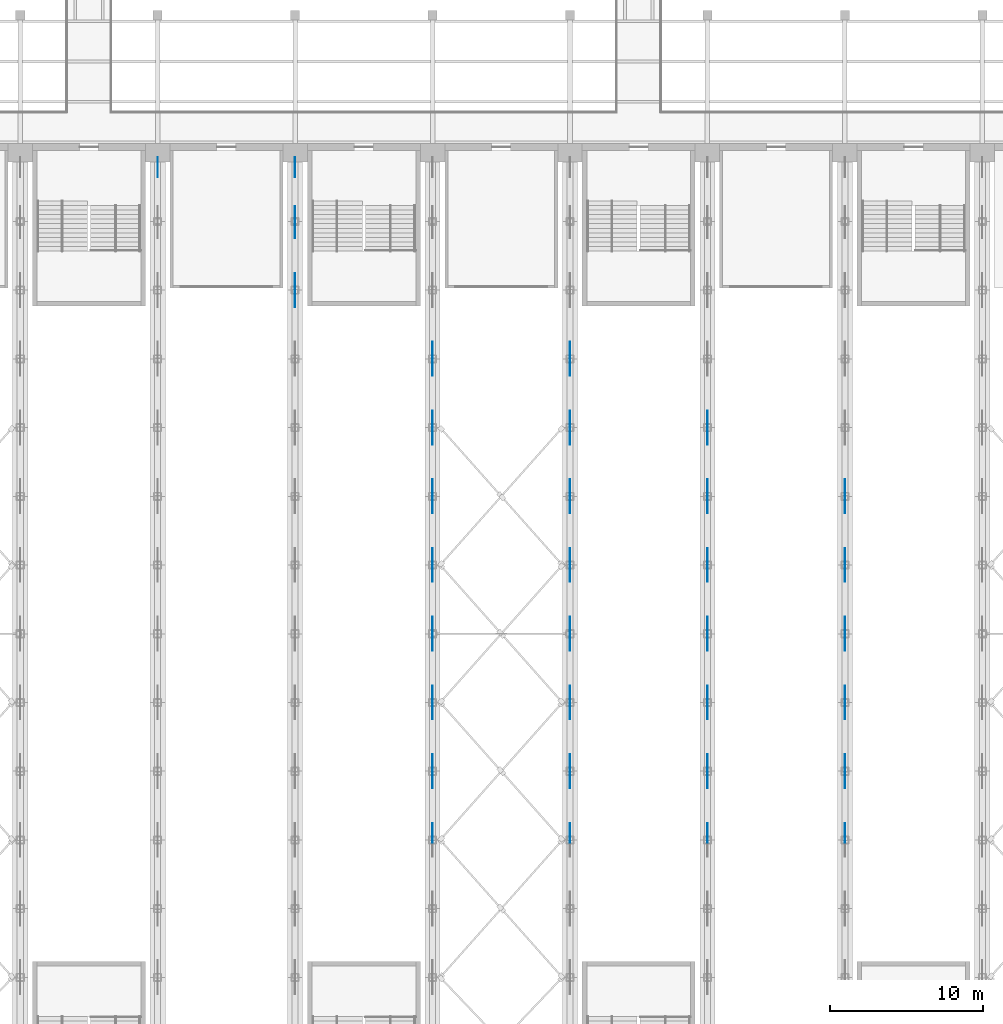
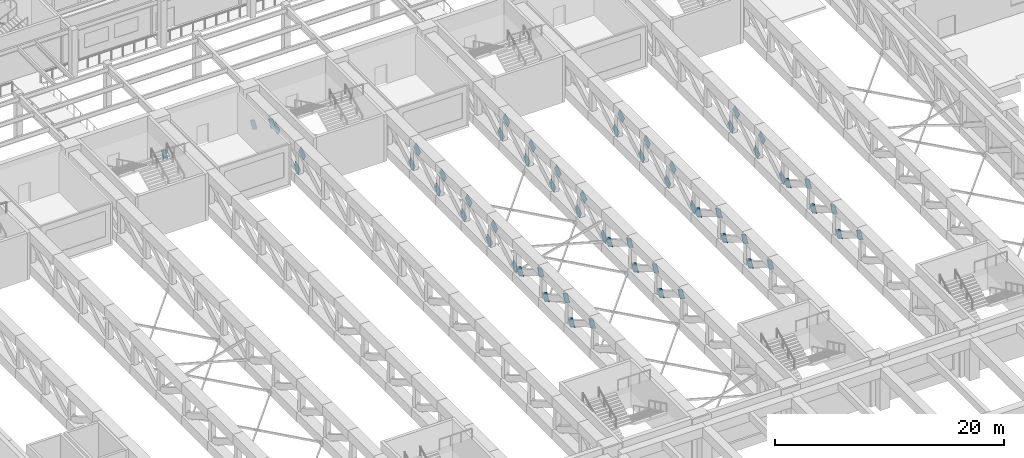
# One storey, part 56 of 76: 60 discrete accessories.
"""IFC4 building model written with IfcOpenShell, lengths in metres."""

from ifc_helpers import new_model, si_unit, direction, frame, origin, place, context, subcontext, project, spatial, polyline, outline, extrude, material, layer, layer_set, type_object, element, save


model = new_model("IFC4")

# Units and contexts
model_context = context("Model", 3, precision=1e-05, world=origin(), true_north=direction((0.0, 1.0)))
body_context = subcontext(model_context, "Body", "Model", "MODEL_VIEW")
ifc_project = project(units=[si_unit("LENGTHUNIT", "METRE"), si_unit("AREAUNIT", "SQUARE_METRE"), si_unit("VOLUMEUNIT", "CUBIC_METRE"), si_unit("PLANEANGLEUNIT", "RADIAN"), si_unit("MASSUNIT", "GRAM", prefix="KILO")], contexts=[model_context])

# Site, building, storey
site_placement = place(None, origin())
site = spatial("IfcSite", under=ifc_project, at=site_placement, CompositionType="ELEMENT")
building_placement = place(site_placement, origin())
building = spatial("IfcBuilding", under=site, at=building_placement, Name="Aravalli Gate Trade Fair Centre", CompositionType="ELEMENT")
storey_placement = place(building_placement, frame((0.0, 0.0, 10.0)))
storey = spatial("IfcBuildingStorey", under=building, at=storey_placement, Name="L02", CompositionType="ELEMENT", Elevation=10.0)

# Discrete accessories
ifc_material = material(Name="Steel E350", Category="steel")
ifc_layer = layer(ifc_material, 0.02001953125)
ifc_layer_set = layer_set([ifc_layer], Name="Steel E350")
discrete_accessory_type = type_object("IfcDiscreteAccessoryType", Name="Gusset plate 900 x 900 x 20", PredefinedType="USERDEFINED", material=ifc_layer_set)
discrete_accessory_1_placement = place(storey_placement, frame((42.010009765625, 107.3994140625, 1.10693359375), z_axis=(1.0, 0.0, 0.0), x_axis=(0.0, 0.841841417294, -0.539724955999)))
element("IfcDiscreteAccessory", 1, at=discrete_accessory_1_placement, inside=storey, type_object=discrete_accessory_type, Name="Gusset plate FT1 line 5 diagonal 14 end A", ObjectType="GUSSET PLATE", PredefinedType="USERDEFINED", context=body_context, shape_type="SweptSolid", body=[
    extrude(outline(polyline([(0.0, 0.0), (0.9802265552012132, 5.551115123125783e-17), (0.9800108119339646, 0.9000460685456917), (0.00012155321060602908, 0.8999723096440082), (0.0, 0.0)])), origin(), (0.0, 0.0, -1.0), 0.02001953125),
])
for number, where, z_axis, x_axis, name in (
    (2, (50.989990234375, 98.890625, 3.435546875), (-1.0, 0.0, 0.0), (0.0, 0.86388729855, 0.503685155037), "Gusset plate FT1 line 6 diagonal 12 end A"),
    (3, (50.989990234375, 103.390625, 3.435546875), (-1.0, 0.0, 0.0), (0.0, 0.86388729855, 0.503685155037), "Gusset plate FT1 line 6 diagonal 13 end A"),
):
    element("IfcDiscreteAccessory", number, at=place(storey_placement, frame(where, z_axis=z_axis, x_axis=x_axis)), inside=storey, type_object=discrete_accessory_type, Name=name, ObjectType="GUSSET PLATE", PredefinedType="USERDEFINED", context=body_context, shape_type="SweptSolid", body=[
        extrude(outline(polyline([(0.0, 0.0), (0.9800811852673053, 0.0), (0.980081550163473, 0.9001036081016202), (3.6489616778156986e-07, 0.9001036081016202), (0.0, 0.0)])), origin(), (0.0, 0.0, -1.0), 0.02001953125),
    ])
discrete_accessory_2_placement = place(storey_placement, frame((51.010009765625, 100.656005859375, 1.842041015625), z_axis=(1.0, 0.0, 0.0), x_axis=(0.0, -0.86388729855, -0.503685155037)))
element("IfcDiscreteAccessory", 4, at=discrete_accessory_2_placement, inside=storey, type_object=discrete_accessory_type, Name="Gusset plate FT1 line 6 diagonal 13 end B", ObjectType="GUSSET PLATE", PredefinedType="USERDEFINED", context=body_context, shape_type="SweptSolid", body=[
    extrude(outline(polyline([(0.0, 0.0), (0.9800811852673053, 0.0), (0.9800808203711375, 0.9001036081016202), (-3.6489616778156986e-07, 0.9001036081016202), (0.0, 0.0)])), origin(), (0.0, 0.0, -1.0), 0.02001953125),
])
discrete_accessory_3_placement = place(storey_placement, frame((51.010009765625, 107.3994140625, 1.10693359375), z_axis=(1.0, 0.0, 0.0), x_axis=(0.0, 0.841841417294, -0.539724955999)))
element("IfcDiscreteAccessory", 5, at=discrete_accessory_3_placement, inside=storey, type_object=discrete_accessory_type, Name="Gusset plate FT1 line 6 diagonal 14 end A", ObjectType="GUSSET PLATE", PredefinedType="USERDEFINED", context=body_context, shape_type="SweptSolid", body=[
    extrude(outline(polyline([(0.0, 0.0), (0.9802265552012132, 5.551115123125783e-17), (0.9800108119339646, 0.9000460685456917), (0.00012155321060602908, 0.8999723096440082), (0.0, 0.0)])), origin(), (0.0, 0.0, -1.0), 0.02001953125),
])
discrete_accessory_4_placement = place(storey_placement, frame((50.989990234375, 105.014892578125, 2.635498046875), z_axis=(-1.0, 0.0, 0.0), x_axis=(0.0, -0.841954580103, 0.539548408433)))
element("IfcDiscreteAccessory", 6, at=discrete_accessory_4_placement, inside=storey, type_object=discrete_accessory_type, Name="Gusset plate FT1 line 6 diagonal 14 end B", ObjectType="GUSSET PLATE", PredefinedType="USERDEFINED", context=body_context, shape_type="SweptSolid", body=[
    extrude(outline(polyline([(0.0, 0.0), (0.9800948079628956, 0.0), (0.9799162545865907, 0.9001778196834035), (-0.00010472374454933986, 0.8998405386803427), (0.0, 0.0)])), origin(), (0.0, 0.0, -1.0), 0.02001953125),
])
discrete_accessory_5_placement = place(storey_placement, frame((59.989990234375, 64.656005859375, 2.657958984375), z_axis=(-1.0, 0.0, 0.0), x_axis=(0.0, -0.86388729855, 0.503685155037)))
element("IfcDiscreteAccessory", 7, at=discrete_accessory_5_placement, inside=storey, type_object=discrete_accessory_type, Name="Gusset plate FT1 line 7 diagonal 5 end A", ObjectType="GUSSET PLATE", PredefinedType="USERDEFINED", context=body_context, shape_type="SweptSolid", body=[
    extrude(outline(polyline([(0.0, 0.0), (0.9800811852673053, 0.0), (0.9800808203711375, 0.9001036081016202), (-3.6489616778156986e-07, 0.9001036081016202), (0.0, 0.0)])), origin(), (0.0, 0.0, -1.0), 0.02001953125),
])
discrete_accessory_6_placement = place(storey_placement, frame((60.010009765625, 67.390625, 1.064453125), z_axis=(1.0, 0.0, 0.0), x_axis=(0.0, 0.86388729855, -0.503685155037)))
element("IfcDiscreteAccessory", 8, at=discrete_accessory_6_placement, inside=storey, type_object=discrete_accessory_type, Name="Gusset plate FT1 line 7 diagonal 5 end B", ObjectType="GUSSET PLATE", PredefinedType="USERDEFINED", context=body_context, shape_type="SweptSolid", body=[
    extrude(outline(polyline([(0.0, 0.0), (0.9800811852673053, 0.0), (0.980081550163473, 0.9001036081016202), (3.6489616778156986e-07, 0.9001036081016202), (0.0, 0.0)])), origin(), (0.0, 0.0, -1.0), 0.02001953125),
])
discrete_accessory_7_placement = place(storey_placement, frame((59.989990234375, 69.156005859375, 2.657958984375), z_axis=(-1.0, 0.0, 0.0), x_axis=(0.0, -0.86388729855, 0.503685155037)))
element("IfcDiscreteAccessory", 9, at=discrete_accessory_7_placement, inside=storey, type_object=discrete_accessory_type, Name="Gusset plate FT1 line 7 diagonal 6 end A", ObjectType="GUSSET PLATE", PredefinedType="USERDEFINED", context=body_context, shape_type="SweptSolid", body=[
    extrude(outline(polyline([(0.0, 0.0), (0.9800811852673053, 0.0), (0.9800808203711375, 0.9001036081016202), (-3.6489616778156986e-07, 0.9001036081016202), (0.0, 0.0)])), origin(), (0.0, 0.0, -1.0), 0.02001953125),
])
discrete_accessory_8_placement = place(storey_placement, frame((60.010009765625, 71.890625, 1.064453125), z_axis=(1.0, 0.0, 0.0), x_axis=(0.0, 0.86388729855, -0.503685155037)))
element("IfcDiscreteAccessory", 10, at=discrete_accessory_8_placement, inside=storey, type_object=discrete_accessory_type, Name="Gusset plate FT1 line 7 diagonal 6 end B", ObjectType="GUSSET PLATE", PredefinedType="USERDEFINED", context=body_context, shape_type="SweptSolid", body=[
    extrude(outline(polyline([(0.0, 0.0), (0.9800811852673053, 0.0), (0.980081550163473, 0.9001036081016202), (3.6489616778156986e-07, 0.9001036081016202), (0.0, 0.0)])), origin(), (0.0, 0.0, -1.0), 0.02001953125),
])
discrete_accessory_9_placement = place(storey_placement, frame((59.989990234375, 73.656005859375, 2.657958984375), z_axis=(-1.0, 0.0, 0.0), x_axis=(0.0, -0.86388729855, 0.503685155037)))
element("IfcDiscreteAccessory", 11, at=discrete_accessory_9_placement, inside=storey, type_object=discrete_accessory_type, Name="Gusset plate FT1 line 7 diagonal 7 end A", ObjectType="GUSSET PLATE", PredefinedType="USERDEFINED", context=body_context, shape_type="SweptSolid", body=[
    extrude(outline(polyline([(0.0, 0.0), (0.9800811852673053, 0.0), (0.9800808203711375, 0.9001036081016202), (-3.6489616778156986e-07, 0.9001036081016202), (0.0, 0.0)])), origin(), (0.0, 0.0, -1.0), 0.02001953125),
])
for number, where, z_axis, x_axis, name in (
    (12, (60.010009765625, 76.390625, 1.064453125), (1.0, 0.0, 0.0), (0.0, 0.86388729855, -0.503685155037), "Gusset plate FT1 line 7 diagonal 7 end B"),
    (13, (59.989990234375, 80.890625, 3.435546875), (-1.0, 0.0, 0.0), (0.0, 0.86388729855, 0.503685155037), "Gusset plate FT1 line 7 diagonal 8 end A"),
):
    element("IfcDiscreteAccessory", number, at=place(storey_placement, frame(where, z_axis=z_axis, x_axis=x_axis)), inside=storey, type_object=discrete_accessory_type, Name=name, ObjectType="GUSSET PLATE", PredefinedType="USERDEFINED", context=body_context, shape_type="SweptSolid", body=[
        extrude(outline(polyline([(0.0, 0.0), (0.9800811852673053, 0.0), (0.980081550163473, 0.9001036081016202), (3.6489616778156986e-07, 0.9001036081016202), (0.0, 0.0)])), origin(), (0.0, 0.0, -1.0), 0.02001953125),
    ])
discrete_accessory_10_placement = place(storey_placement, frame((60.010009765625, 78.156005859375, 1.842041015625), z_axis=(1.0, 0.0, 0.0), x_axis=(0.0, -0.86388729855, -0.503685155037)))
element("IfcDiscreteAccessory", 14, at=discrete_accessory_10_placement, inside=storey, type_object=discrete_accessory_type, Name="Gusset plate FT1 line 7 diagonal 8 end B", ObjectType="GUSSET PLATE", PredefinedType="USERDEFINED", context=body_context, shape_type="SweptSolid", body=[
    extrude(outline(polyline([(0.0, 0.0), (0.9800811852673053, 0.0), (0.9800808203711375, 0.9001036081016202), (-3.6489616778156986e-07, 0.9001036081016202), (0.0, 0.0)])), origin(), (0.0, 0.0, -1.0), 0.02001953125),
])
discrete_accessory_11_placement = place(storey_placement, frame((59.989990234375, 85.390625, 3.435546875), z_axis=(-1.0, 0.0, 0.0), x_axis=(0.0, 0.86388729855, 0.503685155037)))
element("IfcDiscreteAccessory", 15, at=discrete_accessory_11_placement, inside=storey, type_object=discrete_accessory_type, Name="Gusset plate FT1 line 7 diagonal 9 end A", ObjectType="GUSSET PLATE", PredefinedType="USERDEFINED", context=body_context, shape_type="SweptSolid", body=[
    extrude(outline(polyline([(0.0, 0.0), (0.9800811852673053, 0.0), (0.980081550163473, 0.9001036081016202), (3.6489616778156986e-07, 0.9001036081016202), (0.0, 0.0)])), origin(), (0.0, 0.0, -1.0), 0.02001953125),
])
discrete_accessory_12_placement = place(storey_placement, frame((60.010009765625, 82.656005859375, 1.842041015625), z_axis=(1.0, 0.0, 0.0), x_axis=(0.0, -0.86388729855, -0.503685155037)))
element("IfcDiscreteAccessory", 16, at=discrete_accessory_12_placement, inside=storey, type_object=discrete_accessory_type, Name="Gusset plate FT1 line 7 diagonal 9 end B", ObjectType="GUSSET PLATE", PredefinedType="USERDEFINED", context=body_context, shape_type="SweptSolid", body=[
    extrude(outline(polyline([(0.0, 0.0), (0.9800811852673053, 0.0), (0.9800808203711375, 0.9001036081016202), (-3.6489616778156986e-07, 0.9001036081016202), (0.0, 0.0)])), origin(), (0.0, 0.0, -1.0), 0.02001953125),
])
discrete_accessory_13_placement = place(storey_placement, frame((59.989990234375, 89.890625, 3.435546875), z_axis=(-1.0, 0.0, 0.0), x_axis=(0.0, 0.86388729855, 0.503685155037)))
element("IfcDiscreteAccessory", 17, at=discrete_accessory_13_placement, inside=storey, type_object=discrete_accessory_type, Name="Gusset plate FT1 line 7 diagonal 10 end A", ObjectType="GUSSET PLATE", PredefinedType="USERDEFINED", context=body_context, shape_type="SweptSolid", body=[
    extrude(outline(polyline([(0.0, 0.0), (0.9800811852673053, 0.0), (0.980081550163473, 0.9001036081016202), (3.6489616778156986e-07, 0.9001036081016202), (0.0, 0.0)])), origin(), (0.0, 0.0, -1.0), 0.02001953125),
])
discrete_accessory_14_placement = place(storey_placement, frame((60.010009765625, 87.156005859375, 1.842041015625), z_axis=(1.0, 0.0, 0.0), x_axis=(0.0, -0.86388729855, -0.503685155037)))
element("IfcDiscreteAccessory", 18, at=discrete_accessory_14_placement, inside=storey, type_object=discrete_accessory_type, Name="Gusset plate FT1 line 7 diagonal 10 end B", ObjectType="GUSSET PLATE", PredefinedType="USERDEFINED", context=body_context, shape_type="SweptSolid", body=[
    extrude(outline(polyline([(0.0, 0.0), (0.9800811852673053, 0.0), (0.9800808203711375, 0.9001036081016202), (-3.6489616778156986e-07, 0.9001036081016202), (0.0, 0.0)])), origin(), (0.0, 0.0, -1.0), 0.02001953125),
])
discrete_accessory_15_placement = place(storey_placement, frame((59.989990234375, 94.390625, 3.435546875), z_axis=(-1.0, 0.0, 0.0), x_axis=(0.0, 0.86388729855, 0.503685155037)))
element("IfcDiscreteAccessory", 19, at=discrete_accessory_15_placement, inside=storey, type_object=discrete_accessory_type, Name="Gusset plate FT1 line 7 diagonal 11 end A", ObjectType="GUSSET PLATE", PredefinedType="USERDEFINED", context=body_context, shape_type="SweptSolid", body=[
    extrude(outline(polyline([(0.0, 0.0), (0.9800811852673053, 0.0), (0.980081550163473, 0.9001036081016202), (3.6489616778156986e-07, 0.9001036081016202), (0.0, 0.0)])), origin(), (0.0, 0.0, -1.0), 0.02001953125),
])
for number, where, z_axis, x_axis, name in (
    (20, (60.010009765625, 91.656005859375, 1.842041015625), (1.0, 0.0, 0.0), (0.0, -0.86388729855, -0.503685155037), "Gusset plate FT1 line 7 diagonal 11 end B"),
    (21, (60.010009765625, 96.156005859375, 1.842041015625), (1.0, 0.0, 0.0), (0.0, -0.86388729855, -0.503685155037), "Gusset plate FT1 line 7 diagonal 12 end B"),
    (22, (68.989990234375, 64.656005859375, 2.657958984375), (-1.0, 0.0, 0.0), (0.0, -0.86388729855, 0.503685155037), "Gusset plate FT1 line 8 diagonal 5 end A"),
):
    element("IfcDiscreteAccessory", number, at=place(storey_placement, frame(where, z_axis=z_axis, x_axis=x_axis)), inside=storey, type_object=discrete_accessory_type, Name=name, ObjectType="GUSSET PLATE", PredefinedType="USERDEFINED", context=body_context, shape_type="SweptSolid", body=[
        extrude(outline(polyline([(0.0, 0.0), (0.9800811852673053, 0.0), (0.9800808203711375, 0.9001036081016202), (-3.6489616778156986e-07, 0.9001036081016202), (0.0, 0.0)])), origin(), (0.0, 0.0, -1.0), 0.02001953125),
    ])
discrete_accessory_16_placement = place(storey_placement, frame((69.010009765625, 67.390625, 1.064453125), z_axis=(1.0, 0.0, 0.0), x_axis=(0.0, 0.86388729855, -0.503685155037)))
element("IfcDiscreteAccessory", 23, at=discrete_accessory_16_placement, inside=storey, type_object=discrete_accessory_type, Name="Gusset plate FT1 line 8 diagonal 5 end B", ObjectType="GUSSET PLATE", PredefinedType="USERDEFINED", context=body_context, shape_type="SweptSolid", body=[
    extrude(outline(polyline([(0.0, 0.0), (0.9800811852673053, 0.0), (0.980081550163473, 0.9001036081016202), (3.6489616778156986e-07, 0.9001036081016202), (0.0, 0.0)])), origin(), (0.0, 0.0, -1.0), 0.02001953125),
])
discrete_accessory_17_placement = place(storey_placement, frame((68.989990234375, 69.156005859375, 2.657958984375), z_axis=(-1.0, 0.0, 0.0), x_axis=(0.0, -0.86388729855, 0.503685155037)))
element("IfcDiscreteAccessory", 24, at=discrete_accessory_17_placement, inside=storey, type_object=discrete_accessory_type, Name="Gusset plate FT1 line 8 diagonal 6 end A", ObjectType="GUSSET PLATE", PredefinedType="USERDEFINED", context=body_context, shape_type="SweptSolid", body=[
    extrude(outline(polyline([(0.0, 0.0), (0.9800811852673053, 0.0), (0.9800808203711375, 0.9001036081016202), (-3.6489616778156986e-07, 0.9001036081016202), (0.0, 0.0)])), origin(), (0.0, 0.0, -1.0), 0.02001953125),
])
discrete_accessory_18_placement = place(storey_placement, frame((69.010009765625, 71.890625, 1.064453125), z_axis=(1.0, 0.0, 0.0), x_axis=(0.0, 0.86388729855, -0.503685155037)))
element("IfcDiscreteAccessory", 25, at=discrete_accessory_18_placement, inside=storey, type_object=discrete_accessory_type, Name="Gusset plate FT1 line 8 diagonal 6 end B", ObjectType="GUSSET PLATE", PredefinedType="USERDEFINED", context=body_context, shape_type="SweptSolid", body=[
    extrude(outline(polyline([(0.0, 0.0), (0.9800811852673053, 0.0), (0.980081550163473, 0.9001036081016202), (3.6489616778156986e-07, 0.9001036081016202), (0.0, 0.0)])), origin(), (0.0, 0.0, -1.0), 0.02001953125),
])
discrete_accessory_19_placement = place(storey_placement, frame((68.989990234375, 73.656005859375, 2.657958984375), z_axis=(-1.0, 0.0, 0.0), x_axis=(0.0, -0.86388729855, 0.503685155037)))
element("IfcDiscreteAccessory", 26, at=discrete_accessory_19_placement, inside=storey, type_object=discrete_accessory_type, Name="Gusset plate FT1 line 8 diagonal 7 end A", ObjectType="GUSSET PLATE", PredefinedType="USERDEFINED", context=body_context, shape_type="SweptSolid", body=[
    extrude(outline(polyline([(0.0, 0.0), (0.9800811852673053, 0.0), (0.9800808203711375, 0.9001036081016202), (-3.6489616778156986e-07, 0.9001036081016202), (0.0, 0.0)])), origin(), (0.0, 0.0, -1.0), 0.02001953125),
])
for number, where, z_axis, x_axis, name in (
    (27, (69.010009765625, 76.390625, 1.064453125), (1.0, 0.0, 0.0), (0.0, 0.86388729855, -0.503685155037), "Gusset plate FT1 line 8 diagonal 7 end B"),
    (28, (68.989990234375, 80.890625, 3.435546875), (-1.0, 0.0, 0.0), (0.0, 0.86388729855, 0.503685155037), "Gusset plate FT1 line 8 diagonal 8 end A"),
):
    element("IfcDiscreteAccessory", number, at=place(storey_placement, frame(where, z_axis=z_axis, x_axis=x_axis)), inside=storey, type_object=discrete_accessory_type, Name=name, ObjectType="GUSSET PLATE", PredefinedType="USERDEFINED", context=body_context, shape_type="SweptSolid", body=[
        extrude(outline(polyline([(0.0, 0.0), (0.9800811852673053, 0.0), (0.980081550163473, 0.9001036081016202), (3.6489616778156986e-07, 0.9001036081016202), (0.0, 0.0)])), origin(), (0.0, 0.0, -1.0), 0.02001953125),
    ])
discrete_accessory_20_placement = place(storey_placement, frame((69.010009765625, 78.156005859375, 1.842041015625), z_axis=(1.0, 0.0, 0.0), x_axis=(0.0, -0.86388729855, -0.503685155037)))
element("IfcDiscreteAccessory", 29, at=discrete_accessory_20_placement, inside=storey, type_object=discrete_accessory_type, Name="Gusset plate FT1 line 8 diagonal 8 end B", ObjectType="GUSSET PLATE", PredefinedType="USERDEFINED", context=body_context, shape_type="SweptSolid", body=[
    extrude(outline(polyline([(0.0, 0.0), (0.9800811852673053, 0.0), (0.9800808203711375, 0.9001036081016202), (-3.6489616778156986e-07, 0.9001036081016202), (0.0, 0.0)])), origin(), (0.0, 0.0, -1.0), 0.02001953125),
])
discrete_accessory_21_placement = place(storey_placement, frame((68.989990234375, 85.390625, 3.435546875), z_axis=(-1.0, 0.0, 0.0), x_axis=(0.0, 0.86388729855, 0.503685155037)))
element("IfcDiscreteAccessory", 30, at=discrete_accessory_21_placement, inside=storey, type_object=discrete_accessory_type, Name="Gusset plate FT1 line 8 diagonal 9 end A", ObjectType="GUSSET PLATE", PredefinedType="USERDEFINED", context=body_context, shape_type="SweptSolid", body=[
    extrude(outline(polyline([(0.0, 0.0), (0.9800811852673053, 0.0), (0.980081550163473, 0.9001036081016202), (3.6489616778156986e-07, 0.9001036081016202), (0.0, 0.0)])), origin(), (0.0, 0.0, -1.0), 0.02001953125),
])
discrete_accessory_22_placement = place(storey_placement, frame((69.010009765625, 82.656005859375, 1.842041015625), z_axis=(1.0, 0.0, 0.0), x_axis=(0.0, -0.86388729855, -0.503685155037)))
element("IfcDiscreteAccessory", 31, at=discrete_accessory_22_placement, inside=storey, type_object=discrete_accessory_type, Name="Gusset plate FT1 line 8 diagonal 9 end B", ObjectType="GUSSET PLATE", PredefinedType="USERDEFINED", context=body_context, shape_type="SweptSolid", body=[
    extrude(outline(polyline([(0.0, 0.0), (0.9800811852673053, 0.0), (0.9800808203711375, 0.9001036081016202), (-3.6489616778156986e-07, 0.9001036081016202), (0.0, 0.0)])), origin(), (0.0, 0.0, -1.0), 0.02001953125),
])
discrete_accessory_23_placement = place(storey_placement, frame((68.989990234375, 89.890625, 3.435546875), z_axis=(-1.0, 0.0, 0.0), x_axis=(0.0, 0.86388729855, 0.503685155037)))
element("IfcDiscreteAccessory", 32, at=discrete_accessory_23_placement, inside=storey, type_object=discrete_accessory_type, Name="Gusset plate FT1 line 8 diagonal 10 end A", ObjectType="GUSSET PLATE", PredefinedType="USERDEFINED", context=body_context, shape_type="SweptSolid", body=[
    extrude(outline(polyline([(0.0, 0.0), (0.9800811852673053, 0.0), (0.980081550163473, 0.9001036081016202), (3.6489616778156986e-07, 0.9001036081016202), (0.0, 0.0)])), origin(), (0.0, 0.0, -1.0), 0.02001953125),
])
discrete_accessory_24_placement = place(storey_placement, frame((69.010009765625, 87.156005859375, 1.842041015625), z_axis=(1.0, 0.0, 0.0), x_axis=(0.0, -0.86388729855, -0.503685155037)))
element("IfcDiscreteAccessory", 33, at=discrete_accessory_24_placement, inside=storey, type_object=discrete_accessory_type, Name="Gusset plate FT1 line 8 diagonal 10 end B", ObjectType="GUSSET PLATE", PredefinedType="USERDEFINED", context=body_context, shape_type="SweptSolid", body=[
    extrude(outline(polyline([(0.0, 0.0), (0.9800811852673053, 0.0), (0.9800808203711375, 0.9001036081016202), (-3.6489616778156986e-07, 0.9001036081016202), (0.0, 0.0)])), origin(), (0.0, 0.0, -1.0), 0.02001953125),
])
discrete_accessory_25_placement = place(storey_placement, frame((68.989990234375, 94.390625, 3.435546875), z_axis=(-1.0, 0.0, 0.0), x_axis=(0.0, 0.86388729855, 0.503685155037)))
element("IfcDiscreteAccessory", 34, at=discrete_accessory_25_placement, inside=storey, type_object=discrete_accessory_type, Name="Gusset plate FT1 line 8 diagonal 11 end A", ObjectType="GUSSET PLATE", PredefinedType="USERDEFINED", context=body_context, shape_type="SweptSolid", body=[
    extrude(outline(polyline([(0.0, 0.0), (0.9800811852673053, 0.0), (0.980081550163473, 0.9001036081016202), (3.6489616778156986e-07, 0.9001036081016202), (0.0, 0.0)])), origin(), (0.0, 0.0, -1.0), 0.02001953125),
])
for number, where, z_axis, x_axis, name in (
    (35, (69.010009765625, 91.656005859375, 1.842041015625), (1.0, 0.0, 0.0), (0.0, -0.86388729855, -0.503685155037), "Gusset plate FT1 line 8 diagonal 11 end B"),
    (36, (69.010009765625, 96.156005859375, 1.842041015625), (1.0, 0.0, 0.0), (0.0, -0.86388729855, -0.503685155037), "Gusset plate FT1 line 8 diagonal 12 end B"),
    (37, (77.989990234375, 64.656005859375, 2.657958984375), (-1.0, 0.0, 0.0), (0.0, -0.86388729855, 0.503685155037), "Gusset plate FT1 line 9 diagonal 5 end A"),
):
    element("IfcDiscreteAccessory", number, at=place(storey_placement, frame(where, z_axis=z_axis, x_axis=x_axis)), inside=storey, type_object=discrete_accessory_type, Name=name, ObjectType="GUSSET PLATE", PredefinedType="USERDEFINED", context=body_context, shape_type="SweptSolid", body=[
        extrude(outline(polyline([(0.0, 0.0), (0.9800811852673053, 0.0), (0.9800808203711375, 0.9001036081016202), (-3.6489616778156986e-07, 0.9001036081016202), (0.0, 0.0)])), origin(), (0.0, 0.0, -1.0), 0.02001953125),
    ])
discrete_accessory_26_placement = place(storey_placement, frame((78.010009765625, 67.390625, 1.064453125), z_axis=(1.0, 0.0, 0.0), x_axis=(0.0, 0.86388729855, -0.503685155037)))
element("IfcDiscreteAccessory", 38, at=discrete_accessory_26_placement, inside=storey, type_object=discrete_accessory_type, Name="Gusset plate FT1 line 9 diagonal 5 end B", ObjectType="GUSSET PLATE", PredefinedType="USERDEFINED", context=body_context, shape_type="SweptSolid", body=[
    extrude(outline(polyline([(0.0, 0.0), (0.9800811852673053, 0.0), (0.980081550163473, 0.9001036081016202), (3.6489616778156986e-07, 0.9001036081016202), (0.0, 0.0)])), origin(), (0.0, 0.0, -1.0), 0.02001953125),
])
discrete_accessory_27_placement = place(storey_placement, frame((77.989990234375, 69.156005859375, 2.657958984375), z_axis=(-1.0, 0.0, 0.0), x_axis=(0.0, -0.86388729855, 0.503685155037)))
element("IfcDiscreteAccessory", 39, at=discrete_accessory_27_placement, inside=storey, type_object=discrete_accessory_type, Name="Gusset plate FT1 line 9 diagonal 6 end A", ObjectType="GUSSET PLATE", PredefinedType="USERDEFINED", context=body_context, shape_type="SweptSolid", body=[
    extrude(outline(polyline([(0.0, 0.0), (0.9800811852673053, 0.0), (0.9800808203711375, 0.9001036081016202), (-3.6489616778156986e-07, 0.9001036081016202), (0.0, 0.0)])), origin(), (0.0, 0.0, -1.0), 0.02001953125),
])
discrete_accessory_28_placement = place(storey_placement, frame((78.010009765625, 71.890625, 1.064453125), z_axis=(1.0, 0.0, 0.0), x_axis=(0.0, 0.86388729855, -0.503685155037)))
element("IfcDiscreteAccessory", 40, at=discrete_accessory_28_placement, inside=storey, type_object=discrete_accessory_type, Name="Gusset plate FT1 line 9 diagonal 6 end B", ObjectType="GUSSET PLATE", PredefinedType="USERDEFINED", context=body_context, shape_type="SweptSolid", body=[
    extrude(outline(polyline([(0.0, 0.0), (0.9800811852673053, 0.0), (0.980081550163473, 0.9001036081016202), (3.6489616778156986e-07, 0.9001036081016202), (0.0, 0.0)])), origin(), (0.0, 0.0, -1.0), 0.02001953125),
])
discrete_accessory_29_placement = place(storey_placement, frame((77.989990234375, 73.656005859375, 2.657958984375), z_axis=(-1.0, 0.0, 0.0), x_axis=(0.0, -0.86388729855, 0.503685155037)))
element("IfcDiscreteAccessory", 41, at=discrete_accessory_29_placement, inside=storey, type_object=discrete_accessory_type, Name="Gusset plate FT1 line 9 diagonal 7 end A", ObjectType="GUSSET PLATE", PredefinedType="USERDEFINED", context=body_context, shape_type="SweptSolid", body=[
    extrude(outline(polyline([(0.0, 0.0), (0.9800811852673053, 0.0), (0.9800808203711375, 0.9001036081016202), (-3.6489616778156986e-07, 0.9001036081016202), (0.0, 0.0)])), origin(), (0.0, 0.0, -1.0), 0.02001953125),
])
for number, where, z_axis, x_axis, name in (
    (42, (78.010009765625, 76.390625, 1.064453125), (1.0, 0.0, 0.0), (0.0, 0.86388729855, -0.503685155037), "Gusset plate FT1 line 9 diagonal 7 end B"),
    (43, (77.989990234375, 80.890625, 3.435546875), (-1.0, 0.0, 0.0), (0.0, 0.86388729855, 0.503685155037), "Gusset plate FT1 line 9 diagonal 8 end A"),
):
    element("IfcDiscreteAccessory", number, at=place(storey_placement, frame(where, z_axis=z_axis, x_axis=x_axis)), inside=storey, type_object=discrete_accessory_type, Name=name, ObjectType="GUSSET PLATE", PredefinedType="USERDEFINED", context=body_context, shape_type="SweptSolid", body=[
        extrude(outline(polyline([(0.0, 0.0), (0.9800811852673053, 0.0), (0.980081550163473, 0.9001036081016202), (3.6489616778156986e-07, 0.9001036081016202), (0.0, 0.0)])), origin(), (0.0, 0.0, -1.0), 0.02001953125),
    ])
discrete_accessory_30_placement = place(storey_placement, frame((78.010009765625, 78.156005859375, 1.842041015625), z_axis=(1.0, 0.0, 0.0), x_axis=(0.0, -0.86388729855, -0.503685155037)))
element("IfcDiscreteAccessory", 44, at=discrete_accessory_30_placement, inside=storey, type_object=discrete_accessory_type, Name="Gusset plate FT1 line 9 diagonal 8 end B", ObjectType="GUSSET PLATE", PredefinedType="USERDEFINED", context=body_context, shape_type="SweptSolid", body=[
    extrude(outline(polyline([(0.0, 0.0), (0.9800811852673053, 0.0), (0.9800808203711375, 0.9001036081016202), (-3.6489616778156986e-07, 0.9001036081016202), (0.0, 0.0)])), origin(), (0.0, 0.0, -1.0), 0.02001953125),
])
discrete_accessory_31_placement = place(storey_placement, frame((77.989990234375, 85.390625, 3.435546875), z_axis=(-1.0, 0.0, 0.0), x_axis=(0.0, 0.86388729855, 0.503685155037)))
element("IfcDiscreteAccessory", 45, at=discrete_accessory_31_placement, inside=storey, type_object=discrete_accessory_type, Name="Gusset plate FT1 line 9 diagonal 9 end A", ObjectType="GUSSET PLATE", PredefinedType="USERDEFINED", context=body_context, shape_type="SweptSolid", body=[
    extrude(outline(polyline([(0.0, 0.0), (0.9800811852673053, 0.0), (0.980081550163473, 0.9001036081016202), (3.6489616778156986e-07, 0.9001036081016202), (0.0, 0.0)])), origin(), (0.0, 0.0, -1.0), 0.02001953125),
])
discrete_accessory_32_placement = place(storey_placement, frame((78.010009765625, 82.656005859375, 1.842041015625), z_axis=(1.0, 0.0, 0.0), x_axis=(0.0, -0.86388729855, -0.503685155037)))
element("IfcDiscreteAccessory", 46, at=discrete_accessory_32_placement, inside=storey, type_object=discrete_accessory_type, Name="Gusset plate FT1 line 9 diagonal 9 end B", ObjectType="GUSSET PLATE", PredefinedType="USERDEFINED", context=body_context, shape_type="SweptSolid", body=[
    extrude(outline(polyline([(0.0, 0.0), (0.9800811852673053, 0.0), (0.9800808203711375, 0.9001036081016202), (-3.6489616778156986e-07, 0.9001036081016202), (0.0, 0.0)])), origin(), (0.0, 0.0, -1.0), 0.02001953125),
])
discrete_accessory_33_placement = place(storey_placement, frame((77.989990234375, 89.890625, 3.435546875), z_axis=(-1.0, 0.0, 0.0), x_axis=(0.0, 0.86388729855, 0.503685155037)))
element("IfcDiscreteAccessory", 47, at=discrete_accessory_33_placement, inside=storey, type_object=discrete_accessory_type, Name="Gusset plate FT1 line 9 diagonal 10 end A", ObjectType="GUSSET PLATE", PredefinedType="USERDEFINED", context=body_context, shape_type="SweptSolid", body=[
    extrude(outline(polyline([(0.0, 0.0), (0.9800811852673053, 0.0), (0.980081550163473, 0.9001036081016202), (3.6489616778156986e-07, 0.9001036081016202), (0.0, 0.0)])), origin(), (0.0, 0.0, -1.0), 0.02001953125),
])
for number, where, z_axis, x_axis, name in (
    (48, (78.010009765625, 87.156005859375, 1.842041015625), (1.0, 0.0, 0.0), (0.0, -0.86388729855, -0.503685155037), "Gusset plate FT1 line 9 diagonal 10 end B"),
    (49, (78.010009765625, 91.656005859375, 1.842041015625), (1.0, 0.0, 0.0), (0.0, -0.86388729855, -0.503685155037), "Gusset plate FT1 line 9 diagonal 11 end B"),
    (50, (86.989990234375, 64.656005859375, 2.657958984375), (-1.0, 0.0, 0.0), (0.0, -0.86388729855, 0.503685155037), "Gusset plate FT1 line 10 diagonal 5 end A"),
):
    element("IfcDiscreteAccessory", number, at=place(storey_placement, frame(where, z_axis=z_axis, x_axis=x_axis)), inside=storey, type_object=discrete_accessory_type, Name=name, ObjectType="GUSSET PLATE", PredefinedType="USERDEFINED", context=body_context, shape_type="SweptSolid", body=[
        extrude(outline(polyline([(0.0, 0.0), (0.9800811852673053, 0.0), (0.9800808203711375, 0.9001036081016202), (-3.6489616778156986e-07, 0.9001036081016202), (0.0, 0.0)])), origin(), (0.0, 0.0, -1.0), 0.02001953125),
    ])
discrete_accessory_34_placement = place(storey_placement, frame((87.010009765625, 67.390625, 1.064453125), z_axis=(1.0, 0.0, 0.0), x_axis=(0.0, 0.86388729855, -0.503685155037)))
element("IfcDiscreteAccessory", 51, at=discrete_accessory_34_placement, inside=storey, type_object=discrete_accessory_type, Name="Gusset plate FT1 line 10 diagonal 5 end B", ObjectType="GUSSET PLATE", PredefinedType="USERDEFINED", context=body_context, shape_type="SweptSolid", body=[
    extrude(outline(polyline([(0.0, 0.0), (0.9800811852673053, 0.0), (0.980081550163473, 0.9001036081016202), (3.6489616778156986e-07, 0.9001036081016202), (0.0, 0.0)])), origin(), (0.0, 0.0, -1.0), 0.02001953125),
])
discrete_accessory_35_placement = place(storey_placement, frame((86.989990234375, 69.156005859375, 2.657958984375), z_axis=(-1.0, 0.0, 0.0), x_axis=(0.0, -0.86388729855, 0.503685155037)))
element("IfcDiscreteAccessory", 52, at=discrete_accessory_35_placement, inside=storey, type_object=discrete_accessory_type, Name="Gusset plate FT1 line 10 diagonal 6 end A", ObjectType="GUSSET PLATE", PredefinedType="USERDEFINED", context=body_context, shape_type="SweptSolid", body=[
    extrude(outline(polyline([(0.0, 0.0), (0.9800811852673053, 0.0), (0.9800808203711375, 0.9001036081016202), (-3.6489616778156986e-07, 0.9001036081016202), (0.0, 0.0)])), origin(), (0.0, 0.0, -1.0), 0.02001953125),
])
discrete_accessory_36_placement = place(storey_placement, frame((87.010009765625, 71.890625, 1.064453125), z_axis=(1.0, 0.0, 0.0), x_axis=(0.0, 0.86388729855, -0.503685155037)))
element("IfcDiscreteAccessory", 53, at=discrete_accessory_36_placement, inside=storey, type_object=discrete_accessory_type, Name="Gusset plate FT1 line 10 diagonal 6 end B", ObjectType="GUSSET PLATE", PredefinedType="USERDEFINED", context=body_context, shape_type="SweptSolid", body=[
    extrude(outline(polyline([(0.0, 0.0), (0.9800811852673053, 0.0), (0.980081550163473, 0.9001036081016202), (3.6489616778156986e-07, 0.9001036081016202), (0.0, 0.0)])), origin(), (0.0, 0.0, -1.0), 0.02001953125),
])
discrete_accessory_37_placement = place(storey_placement, frame((86.989990234375, 73.656005859375, 2.657958984375), z_axis=(-1.0, 0.0, 0.0), x_axis=(0.0, -0.86388729855, 0.503685155037)))
element("IfcDiscreteAccessory", 54, at=discrete_accessory_37_placement, inside=storey, type_object=discrete_accessory_type, Name="Gusset plate FT1 line 10 diagonal 7 end A", ObjectType="GUSSET PLATE", PredefinedType="USERDEFINED", context=body_context, shape_type="SweptSolid", body=[
    extrude(outline(polyline([(0.0, 0.0), (0.9800811852673053, 0.0), (0.9800808203711375, 0.9001036081016202), (-3.6489616778156986e-07, 0.9001036081016202), (0.0, 0.0)])), origin(), (0.0, 0.0, -1.0), 0.02001953125),
])
for number, where, z_axis, x_axis, name in (
    (55, (87.010009765625, 76.390625, 1.064453125), (1.0, 0.0, 0.0), (0.0, 0.86388729855, -0.503685155037), "Gusset plate FT1 line 10 diagonal 7 end B"),
    (56, (86.989990234375, 80.890625, 3.435546875), (-1.0, 0.0, 0.0), (0.0, 0.86388729855, 0.503685155037), "Gusset plate FT1 line 10 diagonal 8 end A"),
):
    element("IfcDiscreteAccessory", number, at=place(storey_placement, frame(where, z_axis=z_axis, x_axis=x_axis)), inside=storey, type_object=discrete_accessory_type, Name=name, ObjectType="GUSSET PLATE", PredefinedType="USERDEFINED", context=body_context, shape_type="SweptSolid", body=[
        extrude(outline(polyline([(0.0, 0.0), (0.9800811852673053, 0.0), (0.980081550163473, 0.9001036081016202), (3.6489616778156986e-07, 0.9001036081016202), (0.0, 0.0)])), origin(), (0.0, 0.0, -1.0), 0.02001953125),
    ])
discrete_accessory_38_placement = place(storey_placement, frame((87.010009765625, 78.156005859375, 1.842041015625), z_axis=(1.0, 0.0, 0.0), x_axis=(0.0, -0.86388729855, -0.503685155037)))
element("IfcDiscreteAccessory", 57, at=discrete_accessory_38_placement, inside=storey, type_object=discrete_accessory_type, Name="Gusset plate FT1 line 10 diagonal 8 end B", ObjectType="GUSSET PLATE", PredefinedType="USERDEFINED", context=body_context, shape_type="SweptSolid", body=[
    extrude(outline(polyline([(0.0, 0.0), (0.9800811852673053, 0.0), (0.9800808203711375, 0.9001036081016202), (-3.6489616778156986e-07, 0.9001036081016202), (0.0, 0.0)])), origin(), (0.0, 0.0, -1.0), 0.02001953125),
])
discrete_accessory_39_placement = place(storey_placement, frame((86.989990234375, 85.390625, 3.435546875), z_axis=(-1.0, 0.0, 0.0), x_axis=(0.0, 0.86388729855, 0.503685155037)))
element("IfcDiscreteAccessory", 58, at=discrete_accessory_39_placement, inside=storey, type_object=discrete_accessory_type, Name="Gusset plate FT1 line 10 diagonal 9 end A", ObjectType="GUSSET PLATE", PredefinedType="USERDEFINED", context=body_context, shape_type="SweptSolid", body=[
    extrude(outline(polyline([(0.0, 0.0), (0.9800811852673053, 0.0), (0.980081550163473, 0.9001036081016202), (3.6489616778156986e-07, 0.9001036081016202), (0.0, 0.0)])), origin(), (0.0, 0.0, -1.0), 0.02001953125),
])
for number, where, z_axis, x_axis, name in (
    (59, (87.010009765625, 82.656005859375, 1.842041015625), (1.0, 0.0, 0.0), (0.0, -0.86388729855, -0.503685155037), "Gusset plate FT1 line 10 diagonal 9 end B"),
    (60, (87.010009765625, 87.156005859375, 1.842041015625), (1.0, 0.0, 0.0), (0.0, -0.86388729855, -0.503685155037), "Gusset plate FT1 line 10 diagonal 10 end B"),
):
    element("IfcDiscreteAccessory", number, at=place(storey_placement, frame(where, z_axis=z_axis, x_axis=x_axis)), inside=storey, type_object=discrete_accessory_type, Name=name, ObjectType="GUSSET PLATE", PredefinedType="USERDEFINED", context=body_context, shape_type="SweptSolid", body=[
        extrude(outline(polyline([(0.0, 0.0), (0.9800811852673053, 0.0), (0.9800808203711375, 0.9001036081016202), (-3.6489616778156986e-07, 0.9001036081016202), (0.0, 0.0)])), origin(), (0.0, 0.0, -1.0), 0.02001953125),
    ])

save(model, "model.ifc")
